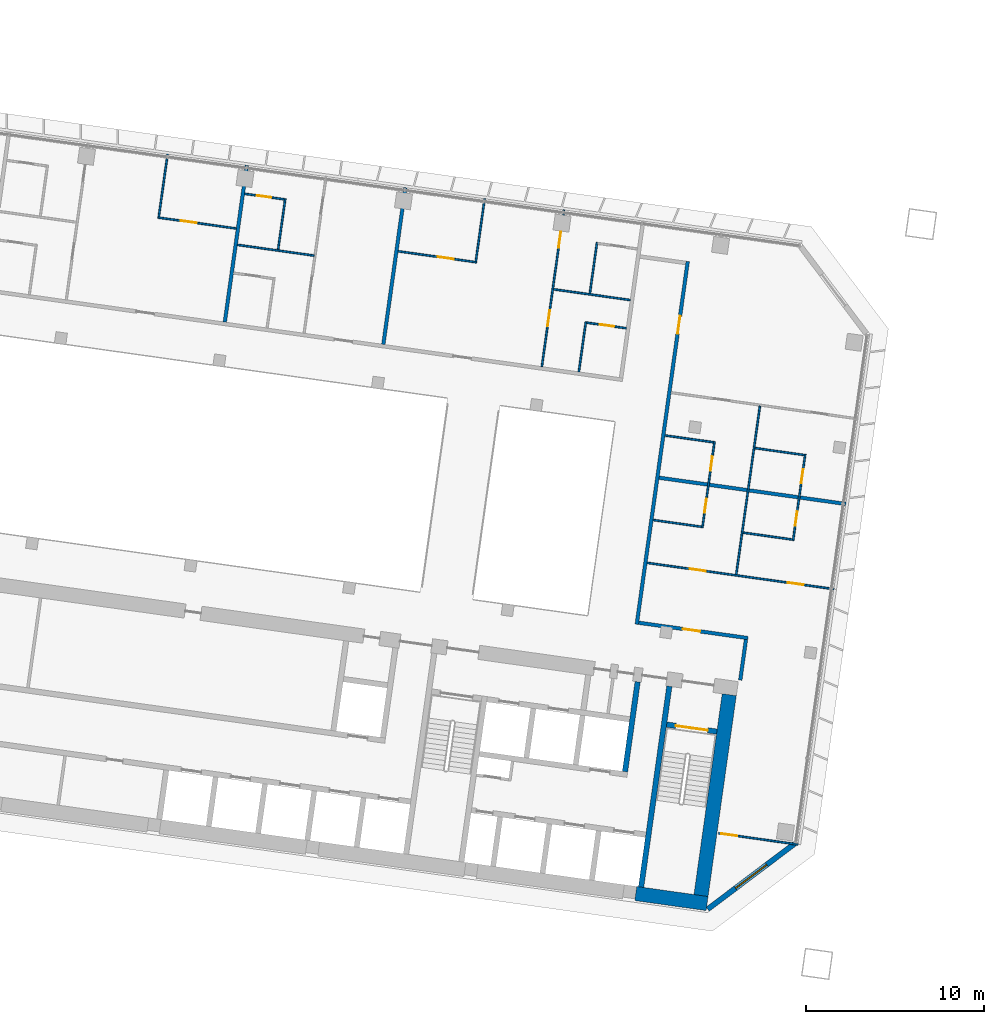
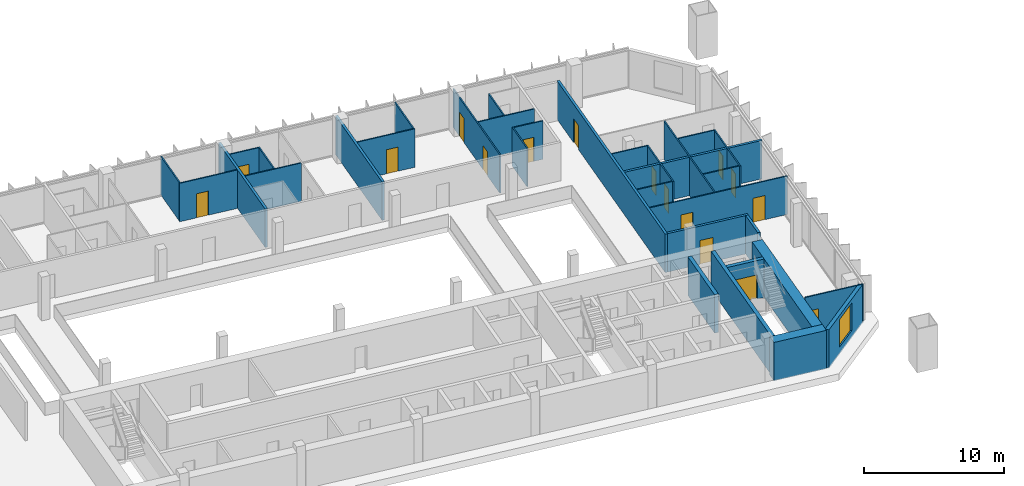
# One storey, part 24 of 33: 33 walls, 16 doors, 1 window, 17 openings.
"""IFC4 building model written with IfcOpenShell, lengths in metres."""

from ifc_helpers import new_model, si_unit, direction, frame, frame_2d, origin, place, context, subcontext, project, spatial, rectangle, extrude, material, layer, layer_set, type_object, element, fill, save


model = new_model("IFC4")

# Units and contexts
model_context = context("Model", 3, precision=1e-05, world=origin(), true_north=direction((0.0, 1.0)))
body_context = subcontext(model_context, "Body", "Model", "MODEL_VIEW")
ifc_project = project(units=[si_unit("LENGTHUNIT", "METRE"), si_unit("AREAUNIT", "SQUARE_METRE"), si_unit("VOLUMEUNIT", "CUBIC_METRE"), si_unit("PLANEANGLEUNIT", "RADIAN"), si_unit("MASSUNIT", "GRAM", prefix="KILO")], contexts=[model_context])

# Site, building, storey
site_placement = place(None, origin())
site = spatial("IfcSite", under=ifc_project, at=site_placement, CompositionType="ELEMENT")
building_placement = place(site_placement, origin())
building = spatial("IfcBuilding", under=site, at=building_placement, Name="Mirante Cascada Hotel Towers", CompositionType="ELEMENT")
storey_placement = place(building_placement, frame((0.0, 0.0, 121.5)))
storey = spatial("IfcBuildingStorey", under=building, at=storey_placement, Name="L27", CompositionType="ELEMENT", Elevation=121.5)

# Wall, opening, door
ifc_material_1 = material(Name="Fire-rated plasterboard on metal studs")
ifc_layer_1 = layer(ifc_material_1, 0.2)
ifc_layer_set_1 = layer_set([ifc_layer_1], Name="Compartment wall 200 EI 120")
wall_type_1 = type_object("IfcWallType", Name="Compartment wall 200 EI 120", PredefinedType="PARTITIONING", material=ifc_layer_set_1)
wall_1_placement = place(storey_placement, frame((-34.8304, -4.7545, 0.0), z_axis=(0.0, 0.0, 1.0), x_axis=(-0.9902695, 0.1391629, 0.0)))
wall_1 = element("IfcWall", 1, at=wall_1_placement, inside=storey, type_object=wall_type_1, Name="Wall 1-L27-02", PredefinedType="PARTITIONING", context=body_context, shape_type="SweptSolid", body=[
    extrude(rectangle(XDim=6.1999, YDim=0.2, at=frame_2d((3.1, 0.0))), origin(), (0.0, 0.0, 1.0), 3.35),
])
opening_1_placement = place(wall_1_placement, frame((2.7, 0.0, 0.0)))
opening_1 = element("IfcOpeningElement", 2, at=opening_1_placement, cuts=wall_1, Name="Opening D1-L27-02", PredefinedType="OPENING", context=body_context, shape_type="SweptSolid", body=[
    extrude(rectangle(XDim=1.0, YDim=2.1, at=frame_2d((0.5, 1.05))), frame((0.0, 0.1, 0.0), z_axis=(0.0, -1.0, 0.0), x_axis=(1.0, 0.0, 0.0)), (0.0, 0.0, 1.0), 0.2),
])
ifc_material_2 = material(Name="Fire-rated timber door leaf", Category="wood")
door_type_1 = type_object("IfcDoorType", Name="Entrance door DG1 1000x2100 EI 60", OperationType="SINGLE_SWING_LEFT", PredefinedType="DOOR", material=ifc_material_2)
door_1_placement = place(opening_1_placement, origin())
door_1 = element("IfcDoor", 3, at=door_1_placement, inside=storey, type_object=door_type_1, Name="Door D1-L27-02", OperationType="SINGLE_SWING_LEFT", OverallHeight=2.1, OverallWidth=1.0, PredefinedType="DOOR", context=body_context, shape_type="SweptSolid", body=[
    extrude(rectangle(XDim=1.0, YDim=2.1, at=frame_2d((0.5, 1.05))), frame((0.0, 0.025, 0.0), z_axis=(0.0, -1.0, 0.0), x_axis=(1.0, 0.0, 0.0)), (0.0, 0.0, 1.0), 0.05),
])
fill(opening_1, door_1)

# Walls
wall_2_placement = place(storey_placement, frame((-29.3273, 2.7863, 0.0), z_axis=(0.0, 0.0, 1.0), x_axis=(-0.9902686, 0.1391691, 0.0)))
element("IfcWall", 4, at=wall_2_placement, inside=storey, type_object=wall_type_1, Name="Wall 1-L27-08", PredefinedType="PARTITIONING", context=body_context, shape_type="SweptSolid", body=[
    extrude(rectangle(XDim=10.6001, YDim=0.2, at=frame_2d((5.3, 0.0))), origin(), (0.0, 0.0, 1.0), 3.35),
])
wall_3_placement = place(storey_placement, frame((-34.9433, -4.8397, 0.0), z_axis=(0.0, 0.0, 1.0), x_axis=(-0.1391749, -0.9902678, 0.0)))
element("IfcWall", 5, at=wall_3_placement, inside=storey, type_object=wall_type_1, Name="Wall 1-L27-33", PredefinedType="PARTITIONING", context=body_context, shape_type="SweptSolid", body=[
    extrude(rectangle(XDim=2.3, YDim=0.2, at=frame_2d((1.15, 0.0))), origin(), (0.0, 0.0, 1.0), 3.35),
])

# Wall, opening, door
wall_4_placement = place(storey_placement, frame((-41.083, -3.9768, 0.0), z_axis=(0.0, 0.0, 1.0), x_axis=(0.1391749, 0.9902678, 0.0)))
wall_4 = element("IfcWall", 6, at=wall_4_placement, inside=storey, type_object=wall_type_1, Name="Wall 1-L27-36", PredefinedType="PARTITIONING", context=body_context, shape_type="SweptSolid", body=[
    extrude(rectangle(XDim=20.6, YDim=0.2, at=frame_2d((10.3, 0.0))), origin(), (0.0, 0.0, 1.0), 3.35),
])
opening_2_placement = place(wall_4_placement, frame((16.5, 0.0, 0.0)))
opening_2 = element("IfcOpeningElement", 7, at=opening_2_placement, cuts=wall_4, Name="Opening D1-L27-27", PredefinedType="OPENING", context=body_context, shape_type="SweptSolid", body=[
    extrude(rectangle(XDim=1.0, YDim=2.1, at=frame_2d((0.5, 1.05))), frame((0.0, 0.1, 0.0), z_axis=(0.0, -1.0, 0.0), x_axis=(1.0, 0.0, 0.0)), (0.0, 0.0, 1.0), 0.2),
])
door_2_placement = place(opening_2_placement, frame((1.0, 0.0, 0.0), z_axis=(0.0, 0.0, 1.0), x_axis=(-1.0, 0.0, 0.0)))
door_2 = element("IfcDoor", 8, at=door_2_placement, inside=storey, type_object=door_type_1, Name="Door D1-L27-27", OperationType="SINGLE_SWING_RIGHT", OverallHeight=2.1, OverallWidth=1.0, PredefinedType="DOOR", context=body_context, shape_type="SweptSolid", body=[
    extrude(rectangle(XDim=1.0, YDim=2.1, at=frame_2d((0.5, 1.05))), frame((0.0, 0.025, 0.0), z_axis=(0.0, -1.0, 0.0), x_axis=(1.0, 0.0, 0.0)), (0.0, 0.0, 1.0), 0.05),
])
fill(opening_2, door_2)

# Walls
for number, where, z_axis, x_axis, name in (
    (9, (-55.3316, 11.7594, 0.0), (0.0, 0.0, 1.0), (0.1391794, 0.9902672, 0.0), "Wall 1-L27-42"),
    (10, (-64.244, 13.0119, 0.0), (0.0, 0.0, 1.0), (0.1391684, 0.9902687, 0.0), "Wall 1-L27-46"),
):
    element("IfcWall", number, at=place(storey_placement, frame(where, z_axis=z_axis, x_axis=x_axis)), inside=storey, type_object=wall_type_1, Name=name, PredefinedType="PARTITIONING", context=body_context, shape_type="SweptSolid", body=[
        extrude(rectangle(XDim=8.9, YDim=0.2, at=frame_2d((4.45, 0.0))), origin(), (0.0, 0.0, 1.0), 3.35),
    ])

# Wall, opening, door
ifc_material_3 = material(Name="Plasterboard on metal studs")
ifc_layer_2 = layer(ifc_material_3, 0.1)
ifc_layer_set_2 = layer_set([ifc_layer_2], Name="Partition 100")
wall_type_2 = type_object("IfcWallType", Name="Partition 100", PredefinedType="PARTITIONING", material=ifc_layer_set_2)
wall_5_placement = place(storey_placement, frame((-36.4742, -15.7326, 0.0), z_axis=(0.0, 0.0, 1.0), x_axis=(0.9902674, -0.1391779, 0.0)))
wall_5 = element("IfcWall", 11, at=wall_5_placement, inside=storey, type_object=wall_type_2, Name="Wall 1-L27-01", PredefinedType="PARTITIONING", context=body_context, shape_type="SweptSolid", body=[
    extrude(rectangle(XDim=4.5, YDim=0.1, at=frame_2d((2.25, 0.0))), origin(), (0.0, 0.0, 1.0), 3.35),
])
opening_3_placement = place(wall_5_placement, frame((0.15, 0.0, 0.0)))
opening_3 = element("IfcOpeningElement", 12, at=opening_3_placement, cuts=wall_5, Name="Opening D1-L27-01", PredefinedType="OPENING", context=body_context, shape_type="SweptSolid", body=[
    extrude(rectangle(XDim=0.9, YDim=2.1, at=frame_2d((0.45, 1.05))), frame((0.0, 0.05, 0.0), z_axis=(0.0, -1.0, 0.0), x_axis=(1.0, 0.0, 0.0)), (0.0, 0.0, 1.0), 0.1),
])
ifc_material_4 = material(Name="Timber door leaf", Category="wood")
door_type_2 = type_object("IfcDoorType", Name="Room door DG3 900x2100", OperationType="SINGLE_SWING_LEFT", PredefinedType="DOOR", material=ifc_material_4)
door_3_placement = place(opening_3_placement, origin())
door_3 = element("IfcDoor", 13, at=door_3_placement, inside=storey, type_object=door_type_2, Name="Door D1-L27-01", OperationType="SINGLE_SWING_LEFT", OverallHeight=2.1, OverallWidth=0.9, PredefinedType="DOOR", context=body_context, shape_type="SweptSolid", body=[
    extrude(rectangle(XDim=0.9, YDim=2.1, at=frame_2d((0.45, 1.05))), frame((0.0, 0.025, 0.0), z_axis=(0.0, -1.0, 0.0), x_axis=(1.0, 0.0, 0.0)), (0.0, 0.0, 1.0), 0.05),
])
fill(opening_3, door_3)

# Wall, openings, doors
wall_6_placement = place(storey_placement, frame((-40.4968, -0.5248, 0.0), z_axis=(0.0, 0.0, 1.0), x_axis=(0.9902684, -0.1391704, 0.0)))
wall_6 = element("IfcWall", 14, at=wall_6_placement, inside=storey, type_object=wall_type_2, Name="Wall 1-L27-03", PredefinedType="PARTITIONING", context=body_context, shape_type="SweptSolid", body=[
    extrude(rectangle(XDim=10.6, YDim=0.1, at=frame_2d((5.3, 0.0))), origin(), (0.0, 0.0, 1.0), 3.35),
])
opening_4_placement = place(wall_6_placement, frame((7.975, 0.0, 0.0)))
opening_4 = element("IfcOpeningElement", 15, at=opening_4_placement, cuts=wall_6, Name="Opening D1-L27-03", PredefinedType="OPENING", context=body_context, shape_type="SweptSolid", body=[
    extrude(rectangle(XDim=0.9, YDim=2.1, at=frame_2d((0.45, 1.05))), frame((0.0, 0.05, 0.0), z_axis=(0.0, -1.0, 0.0), x_axis=(1.0, 0.0, 0.0)), (0.0, 0.0, 1.0), 0.1),
])
opening_5_placement = place(wall_6_placement, frame((2.425, 0.0, 0.0)))
opening_5 = element("IfcOpeningElement", 16, at=opening_5_placement, cuts=wall_6, Name="Opening D1-L27-04", PredefinedType="OPENING", context=body_context, shape_type="SweptSolid", body=[
    extrude(rectangle(XDim=0.9, YDim=2.1, at=frame_2d((0.45, 1.05))), frame((0.0, 0.05, 0.0), z_axis=(0.0, -1.0, 0.0), x_axis=(1.0, 0.0, 0.0)), (0.0, 0.0, 1.0), 0.1),
])
door_4_placement = place(opening_4_placement, frame((0.9, 0.0, 0.0), z_axis=(0.0, 0.0, 1.0), x_axis=(-1.0, 0.0, 0.0)))
door_4 = element("IfcDoor", 17, at=door_4_placement, inside=storey, type_object=door_type_2, Name="Door D1-L27-03", OperationType="SINGLE_SWING_RIGHT", OverallHeight=2.1, OverallWidth=0.9, PredefinedType="DOOR", context=body_context, shape_type="SweptSolid", body=[
    extrude(rectangle(XDim=0.9, YDim=2.1, at=frame_2d((0.45, 1.05))), frame((0.0, 0.025, 0.0), z_axis=(0.0, -1.0, 0.0), x_axis=(1.0, 0.0, 0.0)), (0.0, 0.0, 1.0), 0.05),
])
fill(opening_4, door_4)
door_5_placement = place(opening_5_placement, frame((0.9, 0.0, 0.0), z_axis=(0.0, 0.0, 1.0), x_axis=(-1.0, 0.0, 0.0)))
door_5 = element("IfcDoor", 18, at=door_5_placement, inside=storey, type_object=door_type_2, Name="Door D1-L27-04", OperationType="SINGLE_SWING_RIGHT", OverallHeight=2.1, OverallWidth=0.9, PredefinedType="DOOR", context=body_context, shape_type="SweptSolid", body=[
    extrude(rectangle(XDim=0.9, YDim=2.1, at=frame_2d((0.45, 1.05))), frame((0.0, 0.025, 0.0), z_axis=(0.0, -1.0, 0.0), x_axis=(1.0, 0.0, 0.0)), (0.0, 0.0, 1.0), 0.05),
])
fill(opening_5, door_5)

# Walls
wall_7_placement = place(storey_placement, frame((-32.3351, 0.7854, 0.0), z_axis=(0.0, 0.0, 1.0), x_axis=(-0.990267, 0.139181, 0.0)))
element("IfcWall", 19, at=wall_7_placement, inside=storey, type_object=wall_type_2, Name="Wall 1-L27-06", PredefinedType="PARTITIONING", context=body_context, shape_type="SweptSolid", body=[
    extrude(rectangle(XDim=2.8, YDim=0.1, at=frame_2d((1.4, 0.0))), origin(), (0.0, 0.0, 1.0), 3.35),
])
wall_8_placement = place(storey_placement, frame((-40.1582, 1.8849, 0.0), z_axis=(0.0, 0.0, 1.0), x_axis=(0.9902641, -0.1392013, 0.0)))
element("IfcWall", 20, at=wall_8_placement, inside=storey, type_object=wall_type_2, Name="Wall 1-L27-07", PredefinedType="PARTITIONING", context=body_context, shape_type="SweptSolid", body=[
    extrude(rectangle(XDim=2.75, YDim=0.1, at=frame_2d((1.375, 0.0))), origin(), (0.0, 0.0, 1.0), 3.35),
])
wall_9_placement = place(storey_placement, frame((-31.667, 5.5387, 0.0), z_axis=(0.0, 0.0, 1.0), x_axis=(-0.9902677, 0.139176, 0.0)))
element("IfcWall", 21, at=wall_9_placement, inside=storey, type_object=wall_type_2, Name="Wall 1-L27-10", PredefinedType="PARTITIONING", context=body_context, shape_type="SweptSolid", body=[
    extrude(rectangle(XDim=2.8001, YDim=0.1, at=frame_2d((1.4, 0.0))), origin(), (0.0, 0.0, 1.0), 3.35),
])
wall_10_placement = place(storey_placement, frame((-39.4902, 6.6381, 0.0), z_axis=(0.0, 0.0, 1.0), x_axis=(0.9902698, -0.1391607, 0.0)))
element("IfcWall", 22, at=wall_10_placement, inside=storey, type_object=wall_type_2, Name="Wall 1-L27-11", PredefinedType="PARTITIONING", context=body_context, shape_type="SweptSolid", body=[
    extrude(rectangle(XDim=2.7501, YDim=0.1, at=frame_2d((1.3751, 0.0))), origin(), (0.0, 0.0, 1.0), 3.35),
])

# Wall, opening, door
wall_11_placement = place(storey_placement, frame((-43.9004, 12.9804, 0.0), z_axis=(0.0, 0.0, 1.0), x_axis=(0.9902643, -0.1391997, 0.0)))
wall_11 = element("IfcWall", 23, at=wall_11_placement, inside=storey, type_object=wall_type_2, Name="Wall 1-L27-17", PredefinedType="PARTITIONING", context=body_context, shape_type="SweptSolid", body=[
    extrude(rectangle(XDim=2.25, YDim=0.1, at=frame_2d((1.125, 0.0))), origin(), (0.0, 0.0, 1.0), 3.35),
])
opening_6_placement = place(wall_11_placement, frame((0.75, 0.0, 0.0)))
opening_6 = element("IfcOpeningElement", 24, at=opening_6_placement, cuts=wall_11, Name="Opening D1-L27-13", PredefinedType="OPENING", context=body_context, shape_type="SweptSolid", body=[
    extrude(rectangle(XDim=0.8, YDim=2.1, at=frame_2d((0.4, 1.05))), frame((0.0, 0.05, 0.0), z_axis=(0.0, -1.0, 0.0), x_axis=(1.0, 0.0, 0.0)), (0.0, 0.0, 1.0), 0.1),
])
ifc_material_5 = material(Name="Timber door leaf", Category="wood")
door_type_3 = type_object("IfcDoorType", Name="Bathroom door DG4 800x2100", OperationType="SINGLE_SWING_LEFT", PredefinedType="DOOR", material=ifc_material_5)
door_6_placement = place(opening_6_placement, frame((0.8, 0.0, 0.0), z_axis=(0.0, 0.0, 1.0), x_axis=(-1.0, 0.0, 0.0)))
door_6 = element("IfcDoor", 25, at=door_6_placement, inside=storey, type_object=door_type_3, Name="Door D1-L27-13", OperationType="SINGLE_SWING_RIGHT", OverallHeight=2.1, OverallWidth=0.8, PredefinedType="DOOR", context=body_context, shape_type="SweptSolid", body=[
    extrude(rectangle(XDim=0.8, YDim=2.1, at=frame_2d((0.4, 1.05))), frame((0.0, 0.025, 0.0), z_axis=(0.0, -1.0, 0.0), x_axis=(1.0, 0.0, 0.0)), (0.0, 0.0, 1.0), 0.05),
])
fill(opening_6, door_6)

# Walls
for number, where, z_axis, x_axis, name in (
    (26, (-45.7573, 14.857, 0.0), (0.0, 0.0, 1.0), (0.9902683, -0.1391714, 0.0), "Wall 1-L27-21"),
    (27, (-59.2249, 16.7498, 0.0), (0.0, 0.0, 1.0), (-0.9902683, 0.1391714, 0.0), "Wall 1-L27-22"),
):
    element("IfcWall", number, at=place(storey_placement, frame(where, z_axis=z_axis, x_axis=x_axis)), inside=storey, type_object=wall_type_2, Name=name, PredefinedType="PARTITIONING", context=body_context, shape_type="SweptSolid", body=[
        extrude(rectangle(XDim=4.35, YDim=0.1, at=frame_2d((2.175, 0.0))), origin(), (0.0, 0.0, 1.0), 3.35),
    ])

# Wall, opening, door
wall_12_placement = place(storey_placement, frame((-54.4949, 16.9939, 0.0), z_axis=(0.0, 0.0, 1.0), x_axis=(0.9902683, -0.1391715, 0.0)))
wall_12 = element("IfcWall", 28, at=wall_12_placement, inside=storey, type_object=wall_type_2, Name="Wall 1-L27-25", PredefinedType="PARTITIONING", context=body_context, shape_type="SweptSolid", body=[
    extrude(rectangle(XDim=4.4499, YDim=0.1, at=frame_2d((2.225, 0.0))), origin(), (0.0, 0.0, 1.0), 3.35),
])
opening_7_placement = place(wall_12_placement, frame((2.25, 0.0, 0.0)))
opening_7 = element("IfcOpeningElement", 29, at=opening_7_placement, cuts=wall_12, Name="Opening D1-L27-18", PredefinedType="OPENING", context=body_context, shape_type="SweptSolid", body=[
    extrude(rectangle(XDim=0.9, YDim=2.1, at=frame_2d((0.45, 1.05))), frame((0.0, 0.05, 0.0), z_axis=(0.0, -1.0, 0.0), x_axis=(1.0, 0.0, 0.0)), (0.0, 0.0, 1.0), 0.1),
])
door_7_placement = place(opening_7_placement, frame((0.9, 0.0, 0.0), z_axis=(0.0, 0.0, 1.0), x_axis=(-1.0, 0.0, 0.0)))
door_7 = element("IfcDoor", 30, at=door_7_placement, inside=storey, type_object=door_type_2, Name="Door D1-L27-18", OperationType="SINGLE_SWING_RIGHT", OverallHeight=2.1, OverallWidth=0.9, PredefinedType="DOOR", context=body_context, shape_type="SweptSolid", body=[
    extrude(rectangle(XDim=0.9, YDim=2.1, at=frame_2d((0.45, 1.05))), frame((0.0, 0.025, 0.0), z_axis=(0.0, -1.0, 0.0), x_axis=(1.0, 0.0, 0.0)), (0.0, 0.0, 1.0), 0.05),
])
fill(opening_7, door_7)

wall_13_placement = place(storey_placement, frame((-63.6054, 18.2743, 0.0), z_axis=(0.0, 0.0, 1.0), x_axis=(-0.9902687, 0.1391684, 0.0)))
wall_13 = element("IfcWall", 31, at=wall_13_placement, inside=storey, type_object=wall_type_2, Name="Wall 1-L27-26", PredefinedType="PARTITIONING", context=body_context, shape_type="SweptSolid", body=[
    extrude(rectangle(XDim=4.45, YDim=0.1, at=frame_2d((2.225, 0.0))), origin(), (0.0, 0.0, 1.0), 3.35),
])
opening_8_placement = place(wall_13_placement, frame((2.25, 0.0, 0.0)))
opening_8 = element("IfcOpeningElement", 32, at=opening_8_placement, cuts=wall_13, Name="Opening D1-L27-19", PredefinedType="OPENING", context=body_context, shape_type="SweptSolid", body=[
    extrude(rectangle(XDim=0.9, YDim=2.1, at=frame_2d((0.45, 1.05))), frame((0.0, 0.05, 0.0), z_axis=(0.0, -1.0, 0.0), x_axis=(1.0, 0.0, 0.0)), (0.0, 0.0, 1.0), 0.1),
])
door_8_placement = place(opening_8_placement, origin())
door_8 = element("IfcDoor", 33, at=door_8_placement, inside=storey, type_object=door_type_2, Name="Door D1-L27-19", OperationType="SINGLE_SWING_LEFT", OverallHeight=2.1, OverallWidth=0.9, PredefinedType="DOOR", context=body_context, shape_type="SweptSolid", body=[
    extrude(rectangle(XDim=0.9, YDim=2.1, at=frame_2d((0.45, 1.05))), frame((0.0, 0.025, 0.0), z_axis=(0.0, -1.0, 0.0), x_axis=(1.0, 0.0, 0.0)), (0.0, 0.0, 1.0), 0.05),
])
fill(opening_8, door_8)

wall_14_placement = place(storey_placement, frame((-60.9009, 19.9138, 0.0), z_axis=(0.0, 0.0, 1.0), x_axis=(-0.9902643, 0.1391997, 0.0)))
wall_14 = element("IfcWall", 34, at=wall_14_placement, inside=storey, type_object=wall_type_2, Name="Wall 1-L27-30", PredefinedType="PARTITIONING", context=body_context, shape_type="SweptSolid", body=[
    extrude(rectangle(XDim=2.25, YDim=0.1, at=frame_2d((1.125, 0.0))), origin(), (0.0, 0.0, 1.0), 3.35),
])
opening_9_placement = place(wall_14_placement, frame((0.75, 0.0, 0.0)))
opening_9 = element("IfcOpeningElement", 35, at=opening_9_placement, cuts=wall_14, Name="Opening D1-L27-21", PredefinedType="OPENING", context=body_context, shape_type="SweptSolid", body=[
    extrude(rectangle(XDim=0.8, YDim=2.1, at=frame_2d((0.4, 1.05))), frame((0.0, 0.05, 0.0), z_axis=(0.0, -1.0, 0.0), x_axis=(1.0, 0.0, 0.0)), (0.0, 0.0, 1.0), 0.1),
])
door_9_placement = place(opening_9_placement, origin())
door_9 = element("IfcDoor", 36, at=door_9_placement, inside=storey, type_object=door_type_3, Name="Door D1-L27-21", OperationType="SINGLE_SWING_LEFT", OverallHeight=2.1, OverallWidth=0.8, PredefinedType="DOOR", context=body_context, shape_type="SweptSolid", body=[
    extrude(rectangle(XDim=0.8, YDim=2.1, at=frame_2d((0.4, 1.05))), frame((0.0, 0.025, 0.0), z_axis=(0.0, -1.0, 0.0), x_axis=(1.0, 0.0, 0.0)), (0.0, 0.0, 1.0), 0.05),
])
fill(opening_9, door_9)

# Wall, openings, doors
wall_15_placement = place(storey_placement, frame((-32.2925, 0.7289, 0.0), z_axis=(0.0, 0.0, 1.0), x_axis=(0.1391638, 0.9902694, 0.0)))
wall_15 = element("IfcWall", 37, at=wall_15_placement, inside=storey, type_object=wall_type_2, Name="Wall 1-L27-32", PredefinedType="PARTITIONING", context=body_context, shape_type="SweptSolid", body=[
    extrude(rectangle(XDim=4.9, YDim=0.1, at=frame_2d((2.45, 0.0))), origin(), (0.0, 0.0, 1.0), 3.35),
])
opening_10_placement = place(wall_15_placement, frame((0.85, 0.0, 0.0)))
opening_10 = element("IfcOpeningElement", 38, at=opening_10_placement, cuts=wall_15, Name="Opening D1-L27-23", PredefinedType="OPENING", context=body_context, shape_type="SweptSolid", body=[
    extrude(rectangle(XDim=0.8, YDim=2.1, at=frame_2d((0.4, 1.05))), frame((0.0, 0.05, 0.0), z_axis=(0.0, -1.0, 0.0), x_axis=(1.0, 0.0, 0.0)), (0.0, 0.0, 1.0), 0.1),
])
opening_11_placement = place(wall_15_placement, frame((3.25, 0.0, 0.0)))
opening_11 = element("IfcOpeningElement", 39, at=opening_11_placement, cuts=wall_15, Name="Opening D1-L27-24", PredefinedType="OPENING", context=body_context, shape_type="SweptSolid", body=[
    extrude(rectangle(XDim=0.8, YDim=2.1, at=frame_2d((0.4, 1.05))), frame((0.0, 0.05, 0.0), z_axis=(0.0, -1.0, 0.0), x_axis=(1.0, 0.0, 0.0)), (0.0, 0.0, 1.0), 0.1),
])
door_10_placement = place(opening_10_placement, origin())
door_10 = element("IfcDoor", 40, at=door_10_placement, inside=storey, type_object=door_type_3, Name="Door D1-L27-23", OperationType="SINGLE_SWING_LEFT", OverallHeight=2.1, OverallWidth=0.8, PredefinedType="DOOR", context=body_context, shape_type="SweptSolid", body=[
    extrude(rectangle(XDim=0.8, YDim=2.1, at=frame_2d((0.4, 1.05))), frame((0.0, 0.025, 0.0), z_axis=(0.0, -1.0, 0.0), x_axis=(1.0, 0.0, 0.0)), (0.0, 0.0, 1.0), 0.05),
])
fill(opening_10, door_10)
door_11_placement = place(opening_11_placement, origin())
door_11 = element("IfcDoor", 41, at=door_11_placement, inside=storey, type_object=door_type_3, Name="Door D1-L27-24", OperationType="SINGLE_SWING_LEFT", OverallHeight=2.1, OverallWidth=0.8, PredefinedType="DOOR", context=body_context, shape_type="SweptSolid", body=[
    extrude(rectangle(XDim=0.8, YDim=2.1, at=frame_2d((0.4, 1.05))), frame((0.0, 0.025, 0.0), z_axis=(0.0, -1.0, 0.0), x_axis=(1.0, 0.0, 0.0)), (0.0, 0.0, 1.0), 0.05),
])
fill(opening_11, door_11)

# Wall
wall_16_placement = place(storey_placement, frame((-35.489, -1.1781, 0.0), z_axis=(0.0, 0.0, 1.0), x_axis=(0.1391703, 0.9902685, 0.0)))
element("IfcWall", 42, at=wall_16_placement, inside=storey, type_object=wall_type_2, Name="Wall 1-L27-34", PredefinedType="PARTITIONING", context=body_context, shape_type="SweptSolid", body=[
    extrude(rectangle(XDim=9.5667, YDim=0.1, at=frame_2d((4.7834, 0.0))), origin(), (0.0, 0.0, 1.0), 3.35),
])

# Wall, openings, doors
wall_17_placement = place(storey_placement, frame((-36.7105, 6.298, 0.0), z_axis=(0.0, 0.0, 1.0), x_axis=(-0.1391638, -0.9902694, 0.0)))
wall_17 = element("IfcWall", 43, at=wall_17_placement, inside=storey, type_object=wall_type_2, Name="Wall 1-L27-35", PredefinedType="PARTITIONING", context=body_context, shape_type="SweptSolid", body=[
    extrude(rectangle(XDim=4.9, YDim=0.1, at=frame_2d((2.45, 0.0))), origin(), (0.0, 0.0, 1.0), 3.35),
])
opening_12_placement = place(wall_17_placement, frame((3.25, 0.0, 0.0)))
opening_12 = element("IfcOpeningElement", 44, at=opening_12_placement, cuts=wall_17, Name="Opening D1-L27-25", PredefinedType="OPENING", context=body_context, shape_type="SweptSolid", body=[
    extrude(rectangle(XDim=0.8, YDim=2.1, at=frame_2d((0.4, 1.05))), frame((0.0, 0.05, 0.0), z_axis=(0.0, -1.0, 0.0), x_axis=(1.0, 0.0, 0.0)), (0.0, 0.0, 1.0), 0.1),
])
opening_13_placement = place(wall_17_placement, frame((0.85, 0.0, 0.0)))
opening_13 = element("IfcOpeningElement", 45, at=opening_13_placement, cuts=wall_17, Name="Opening D1-L27-26", PredefinedType="OPENING", context=body_context, shape_type="SweptSolid", body=[
    extrude(rectangle(XDim=0.8, YDim=2.1, at=frame_2d((0.4, 1.05))), frame((0.0, 0.05, 0.0), z_axis=(0.0, -1.0, 0.0), x_axis=(1.0, 0.0, 0.0)), (0.0, 0.0, 1.0), 0.1),
])
door_12_placement = place(opening_12_placement, frame((0.8, 0.0, 0.0), z_axis=(0.0, 0.0, 1.0), x_axis=(-1.0, 0.0, 0.0)))
door_12 = element("IfcDoor", 46, at=door_12_placement, inside=storey, type_object=door_type_3, Name="Door D1-L27-25", OperationType="SINGLE_SWING_RIGHT", OverallHeight=2.1, OverallWidth=0.8, PredefinedType="DOOR", context=body_context, shape_type="SweptSolid", body=[
    extrude(rectangle(XDim=0.8, YDim=2.1, at=frame_2d((0.4, 1.05))), frame((0.0, 0.025, 0.0), z_axis=(0.0, -1.0, 0.0), x_axis=(1.0, 0.0, 0.0)), (0.0, 0.0, 1.0), 0.05),
])
fill(opening_12, door_12)
door_13_placement = place(opening_13_placement, frame((0.8, 0.0, 0.0), z_axis=(0.0, 0.0, 1.0), x_axis=(-1.0, 0.0, 0.0)))
door_13 = element("IfcDoor", 47, at=door_13_placement, inside=storey, type_object=door_type_3, Name="Door D1-L27-26", OperationType="SINGLE_SWING_RIGHT", OverallHeight=2.1, OverallWidth=0.8, PredefinedType="DOOR", context=body_context, shape_type="SweptSolid", body=[
    extrude(rectangle(XDim=0.8, YDim=2.1, at=frame_2d((0.4, 1.05))), frame((0.0, 0.025, 0.0), z_axis=(0.0, -1.0, 0.0), x_axis=(1.0, 0.0, 0.0)), (0.0, 0.0, 1.0), 0.05),
])
fill(opening_13, door_13)

# Walls
wall_18_placement = place(storey_placement, frame((-44.3396, 10.2146, 0.0), z_axis=(0.0, 0.0, 1.0), x_axis=(0.1391613, 0.9902697, 0.0)))
element("IfcWall", 48, at=wall_18_placement, inside=storey, type_object=wall_type_2, Name="Wall 1-L27-38", PredefinedType="PARTITIONING", context=body_context, shape_type="SweptSolid", body=[
    extrude(rectangle(XDim=2.8499, YDim=0.1, at=frame_2d((1.425, 0.0))), origin(), (0.0, 0.0, 1.0), 3.35),
])
wall_19_placement = place(storey_placement, frame((-43.3167, 17.493, 0.0), z_axis=(0.0, 0.0, 1.0), x_axis=(-0.1391761, -0.9902676, 0.0)))
element("IfcWall", 49, at=wall_19_placement, inside=storey, type_object=wall_type_2, Name="Wall 1-L27-39", PredefinedType="PARTITIONING", context=body_context, shape_type="SweptSolid", body=[
    extrude(rectangle(XDim=2.8999, YDim=0.1, at=frame_2d((1.45, 0.0))), origin(), (0.0, 0.0, 1.0), 3.35),
])

# Wall, openings, doors
wall_20_placement = place(storey_placement, frame((-46.4192, 10.5068, 0.0), z_axis=(0.0, 0.0, 1.0), x_axis=(0.1391794, 0.9902672, 0.0)))
wall_20 = element("IfcWall", 50, at=wall_20_placement, inside=storey, type_object=wall_type_2, Name="Wall 1-L27-40", PredefinedType="PARTITIONING", context=body_context, shape_type="SweptSolid", body=[
    extrude(rectangle(XDim=8.9, YDim=0.1, at=frame_2d((4.45, 0.0))), origin(), (0.0, 0.0, 1.0), 3.35),
])
opening_14_placement = place(wall_20_placement, frame((2.3, 0.0, 0.0)))
opening_14 = element("IfcOpeningElement", 51, at=opening_14_placement, cuts=wall_20, Name="Opening D1-L27-28", PredefinedType="OPENING", context=body_context, shape_type="SweptSolid", body=[
    extrude(rectangle(XDim=0.9, YDim=2.1, at=frame_2d((0.45, 1.05))), frame((0.0, 0.05, 0.0), z_axis=(0.0, -1.0, 0.0), x_axis=(1.0, 0.0, 0.0)), (0.0, 0.0, 1.0), 0.1),
])
opening_15_placement = place(wall_20_placement, frame((6.75, 0.0, 0.0)))
opening_15 = element("IfcOpeningElement", 52, at=opening_15_placement, cuts=wall_20, Name="Opening D1-L27-29", PredefinedType="OPENING", context=body_context, shape_type="SweptSolid", body=[
    extrude(rectangle(XDim=0.9, YDim=2.1, at=frame_2d((0.45, 1.05))), frame((0.0, 0.05, 0.0), z_axis=(0.0, -1.0, 0.0), x_axis=(1.0, 0.0, 0.0)), (0.0, 0.0, 1.0), 0.1),
])
door_14_placement = place(opening_14_placement, origin())
door_14 = element("IfcDoor", 53, at=door_14_placement, inside=storey, type_object=door_type_2, Name="Door D1-L27-28", OperationType="SINGLE_SWING_LEFT", OverallHeight=2.1, OverallWidth=0.9, PredefinedType="DOOR", context=body_context, shape_type="SweptSolid", body=[
    extrude(rectangle(XDim=0.9, YDim=2.1, at=frame_2d((0.45, 1.05))), frame((0.0, 0.025, 0.0), z_axis=(0.0, -1.0, 0.0), x_axis=(1.0, 0.0, 0.0)), (0.0, 0.0, 1.0), 0.05),
])
fill(opening_14, door_14)
door_15_placement = place(opening_15_placement, origin())
door_15 = element("IfcDoor", 54, at=door_15_placement, inside=storey, type_object=door_type_2, Name="Door D1-L27-29", OperationType="SINGLE_SWING_LEFT", OverallHeight=2.1, OverallWidth=0.9, PredefinedType="DOOR", context=body_context, shape_type="SweptSolid", body=[
    extrude(rectangle(XDim=0.9, YDim=2.1, at=frame_2d((0.45, 1.05))), frame((0.0, 0.025, 0.0), z_axis=(0.0, -1.0, 0.0), x_axis=(1.0, 0.0, 0.0)), (0.0, 0.0, 1.0), 0.05),
])
fill(opening_15, door_15)

# Walls
wall_21_placement = place(storey_placement, frame((-49.6367, 19.9465, 0.0), z_axis=(0.0, 0.0, 1.0), x_axis=(-0.139181, -0.990267, 0.0)))
element("IfcWall", 55, at=wall_21_placement, inside=storey, type_object=wall_type_2, Name="Wall 1-L27-41", PredefinedType="PARTITIONING", context=body_context, shape_type="SweptSolid", body=[
    extrude(rectangle(XDim=3.5501, YDim=0.1, at=frame_2d((1.775, 0.0))), origin(), (0.0, 0.0, 1.0), 3.35),
])
wall_22_placement = place(storey_placement, frame((-60.8444, 19.9564, 0.0), z_axis=(0.0, 0.0, 1.0), x_axis=(-0.1391714, -0.9902683, 0.0)))
element("IfcWall", 56, at=wall_22_placement, inside=storey, type_object=wall_type_2, Name="Wall 1-L27-45", PredefinedType="PARTITIONING", context=body_context, shape_type="SweptSolid", body=[
    extrude(rectangle(XDim=2.9, YDim=0.1, at=frame_2d((1.45, 0.0))), origin(), (0.0, 0.0, 1.0), 3.35),
])
wall_23_placement = place(storey_placement, frame((-67.4616, 22.4516, 0.0), z_axis=(0.0, 0.0, 1.0), x_axis=(-0.1391573, -0.9902703, 0.0)))
element("IfcWall", 57, at=wall_23_placement, inside=storey, type_object=wall_type_2, Name="Wall 1-L27-47", PredefinedType="PARTITIONING", context=body_context, shape_type="SweptSolid", body=[
    extrude(rectangle(XDim=3.5499, YDim=0.1, at=frame_2d((1.775, 0.0))), origin(), (0.0, 0.0, 1.0), 3.35),
])

# Wall, opening, window
ifc_material_6 = material(Name="Precast concrete C40/50", Category="concrete")
ifc_layer_3 = layer(ifc_material_6, 0.3)
ifc_layer_set_3 = layer_set([ifc_layer_3], Name="Precast concrete C40/50 cladding wall 300")
wall_type_3 = type_object("IfcWallType", Name="Precast concrete C40/50 cladding wall 300", PredefinedType="STANDARD", material=ifc_layer_set_3)
wall_24_placement = place(storey_placement, frame((-32.2074, -16.3138, 0.0), z_axis=(0.0, 0.0, 1.0), x_axis=(-0.7986362, -0.6018141, 0.0)))
wall_24 = element("IfcWall", 58, at=wall_24_placement, inside=storey, type_object=wall_type_3, Name="Corner cladding wall T1 L27 inner rear", PredefinedType="STANDARD", context=body_context, shape_type="SweptSolid", body=[
    extrude(rectangle(XDim=6.1157, YDim=0.3, at=frame_2d((3.0578, 0.0))), origin(), (0.0, 0.0, 1.0), 3.35),
])
opening_16_placement = place(wall_24_placement, frame((1.9578, 0.0, 0.6)))
opening_16 = element("IfcOpeningElement", 59, at=opening_16_placement, cuts=wall_24, Name="Opening W1-27-06", PredefinedType="OPENING", context=body_context, shape_type="SweptSolid", body=[
    extrude(rectangle(XDim=2.2, YDim=2.4, at=frame_2d((1.1, 1.2))), frame((0.0, 0.15, 0.0), z_axis=(0.0, -1.0, 0.0), x_axis=(1.0, 0.0, 0.0)), (0.0, 0.0, 1.0), 0.3),
])
ifc_material_7 = material(Name="Aluminium frame with clear double glazing", Category="aluminium")
window_type = type_object("IfcWindowType", Name="Corner suite window 2200x2400", PartitioningType="DOUBLE_PANEL_VERTICAL", PredefinedType="WINDOW", material=ifc_material_7)
window_placement = place(opening_16_placement, origin())
window = element("IfcWindow", 60, at=window_placement, inside=storey, type_object=window_type, Name="Window W1-27-06", OverallHeight=2.4, OverallWidth=2.2, PartitioningType="SINGLE_PANEL", PredefinedType="WINDOW", context=body_context, shape_type="SweptSolid", body=[
    extrude(rectangle(XDim=2.2, YDim=2.4, at=frame_2d((1.1, 1.2))), frame((0.0, 0.03, 0.0), z_axis=(0.0, -1.0, 0.0), x_axis=(1.0, 0.0, 0.0)), (0.0, 0.0, 1.0), 0.06),
])
fill(opening_16, window)

# Wall
ifc_material_8 = material(Name="Concrete C50/60", Category="concrete")
ifc_layer_4 = layer(ifc_material_8, 0.3)
ifc_layer_set_4 = layer_set([ifc_layer_4], Name="RC core wall 300 C50/60")
wall_type_4 = type_object("IfcWallType", Name="RC core wall 300 C50/60", PredefinedType="SHEAR", material=ifc_layer_set_4)
wall_25_placement = place(storey_placement, frame((-40.8373, -18.7548, 0.0), z_axis=(0.0, 0.0, 1.0), x_axis=(0.1391749, 0.9902678, 0.0)))
element("IfcWall", 61, at=wall_25_placement, inside=storey, type_object=wall_type_4, Name="Core wall T1:L27:5", PredefinedType="SHEAR", context=body_context, shape_type="SweptSolid", body=[
    extrude(rectangle(XDim=11.4, YDim=0.3, at=frame_2d((5.7, 0.0))), origin(), (0.0, 0.0, 1.0), 3.35),
])

# Wall, opening, door
wall_26_placement = place(storey_placement, frame((-36.5791, -10.0123, 0.0), z_axis=(0.0, 0.0, 1.0), x_axis=(-0.9902704, 0.1391564, 0.0)))
wall_26 = element("IfcWall", 62, at=wall_26_placement, inside=storey, type_object=wall_type_4, Name="Core wall T1:L27:9", PredefinedType="SHEAR", context=body_context, shape_type="SweptSolid", body=[
    extrude(rectangle(XDim=2.85, YDim=0.3, at=frame_2d((1.425, 0.0))), origin(), (0.0, 0.0, 1.0), 3.35),
])
opening_17_placement = place(wall_26_placement, frame((0.525, 0.0, 0.0)))
opening_17 = element("IfcOpeningElement", 63, at=opening_17_placement, cuts=wall_26, Name="Opening D1-27-C13", PredefinedType="OPENING", context=body_context, shape_type="SweptSolid", body=[
    extrude(rectangle(XDim=1.8, YDim=2.1, at=frame_2d((0.9, 1.05))), frame((0.0, 0.15, 0.0), z_axis=(0.0, -1.0, 0.0), x_axis=(1.0, 0.0, 0.0)), (0.0, 0.0, 1.0), 0.3),
])
ifc_material_9 = material(Name="Hollow metal fire door leaf")
door_type_4 = type_object("IfcDoorType", Name="Double fire door 1800x2100 FD60", OperationType="DOUBLE_DOOR_SINGLE_SWING", PredefinedType="DOOR", material=ifc_material_9)
door_16_placement = place(opening_17_placement, origin())
door_16 = element("IfcDoor", 64, at=door_16_placement, inside=storey, type_object=door_type_4, Name="Stair door T1 L27 13", OperationType="DOUBLE_DOOR_SINGLE_SWING", OverallHeight=2.1, OverallWidth=1.8, PredefinedType="DOOR", context=body_context, shape_type="SweptSolid", body=[
    extrude(rectangle(XDim=0.895, YDim=2.1, at=frame_2d((0.4475, 1.05))), frame((0.0, 0.025, 0.0), z_axis=(0.0, -1.0, 0.0), x_axis=(1.0, 0.0, 0.0)), (0.0, 0.0, 1.0), 0.05),
    extrude(rectangle(XDim=0.895, YDim=2.1, at=frame_2d((1.3525, 1.05))), frame((0.0, 0.025, 0.0), z_axis=(0.0, -1.0, 0.0), x_axis=(1.0, 0.0, 0.0)), (0.0, 0.0, 1.0), 0.05),
])
fill(opening_17, door_16)

# Walls
wall_27_placement = place(storey_placement, frame((-41.743, -12.2656, 0.0), z_axis=(0.0, 0.0, 1.0), x_axis=(0.1391755, 0.9902677, 0.0)))
element("IfcWall", 65, at=wall_27_placement, inside=storey, type_object=wall_type_4, Name="Core wall T1:L27:20", PredefinedType="SHEAR", context=body_context, shape_type="SweptSolid", body=[
    extrude(rectangle(XDim=5.1, YDim=0.3, at=frame_2d((2.55, 0.0))), origin(), (0.0, 0.0, 1.0), 3.35),
])
ifc_material_10 = material(Name="Concrete C50/60", Category="concrete")
ifc_layer_5 = layer(ifc_material_10, 0.8)
ifc_layer_set_5 = layer_set([ifc_layer_5], Name="RC core wall 800 C50/60")
wall_type_5 = type_object("IfcWallType", Name="RC core wall 800 C50/60", PredefinedType="SHEAR", material=ifc_layer_set_5)
wall_28_placement = place(storey_placement, frame((-37.1299, -19.6798, 0.0), z_axis=(0.0, 0.0, 1.0), x_axis=(-0.9902665, 0.1391845, 0.0)))
element("IfcWall", 66, at=wall_28_placement, inside=storey, type_object=wall_type_5, Name="Core wall T1:L27:1.1", PredefinedType="SHEAR", context=body_context, shape_type="SweptSolid", body=[
    extrude(rectangle(XDim=4.05, YDim=0.8, at=frame_2d((2.025, 0.0))), origin(), (0.0, 0.0, 1.0), 3.35),
])
wall_29_placement = place(storey_placement, frame((-37.4704, -19.228, 0.0), z_axis=(0.0, 0.0, 1.0), x_axis=(0.1391749, 0.9902678, 0.0)))
element("IfcWall", 67, at=wall_29_placement, inside=storey, type_object=wall_type_5, Name="Core wall T1:L27:3", PredefinedType="SHEAR", context=body_context, shape_type="SweptSolid", body=[
    extrude(rectangle(XDim=11.4, YDim=0.8, at=frame_2d((5.7, 0.0))), origin(), (0.0, 0.0, 1.0), 3.35),
])

save(model, "model.ifc")
